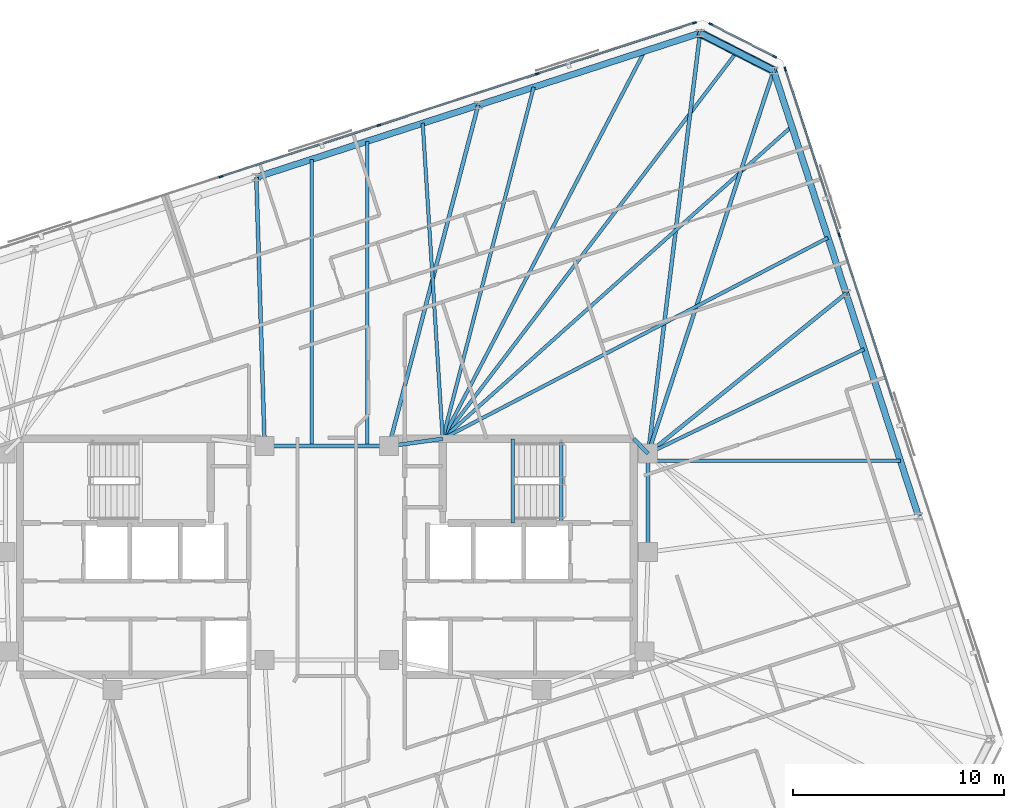
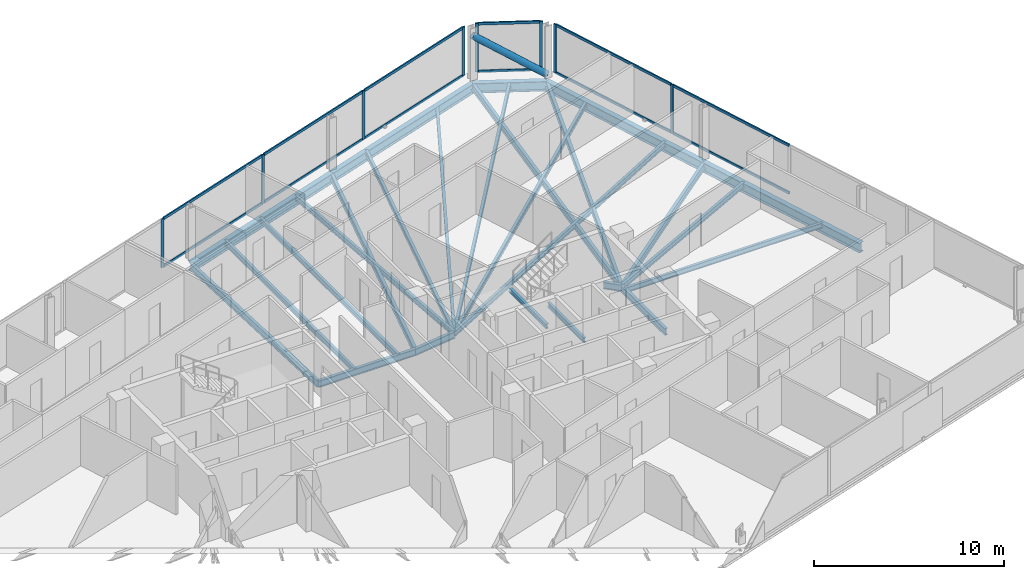
# One storey, part 10 of 20: 26 beams, 21 members, 3 elements without a shape of their own.
"""IFC4 building model written with IfcOpenShell, lengths in metres."""

from ifc_helpers import new_model, si_unit, direction, frame, origin, origin_2d, place, context, subcontext, project, spatial, rectangle, hollow_circle, i_section, extrude, material, material_profile, profile_set, type_object, element, aggregate, save


model = new_model("IFC4")

# Units and contexts
model_context = context("Model", 3, precision=1e-05, world=origin(), true_north=direction((0.0, 1.0)))
body_context = subcontext(model_context, "Body", "Model", "MODEL_VIEW")
ifc_project = project(units=[si_unit("LENGTHUNIT", "METRE"), si_unit("AREAUNIT", "SQUARE_METRE"), si_unit("VOLUMEUNIT", "CUBIC_METRE"), si_unit("PLANEANGLEUNIT", "RADIAN"), si_unit("MASSUNIT", "GRAM", prefix="KILO")], contexts=[model_context])

# Site, building, storey
site_placement = place(None, origin())
site = spatial("IfcSite", under=ifc_project, at=site_placement, CompositionType="ELEMENT")
building_placement = place(site_placement, origin())
building = spatial("IfcBuilding", under=site, at=building_placement, Name="Menara Jurai Vektor", CompositionType="ELEMENT")
storey_placement = place(building_placement, frame((0.0, 0.0, 227.64990234375)))
storey = spatial("IfcBuildingStorey", under=building, at=storey_placement, Name="L60", CompositionType="ELEMENT", Elevation=227.64990234375)

# Curtain wall, members
ifc_material_1 = material(Name="Anodised Pale Aluminium & Low-E Double Glazing", Category="aluminium")
curtain_wall_type = type_object("IfcCurtainWallType", Name="CW-BLK4", PredefinedType="NOTDEFINED", material=ifc_material_1)
curtain_wall_1_placement = place(storey_placement, origin())
curtain_wall_1 = element("IfcCurtainWall", 1, at=curtain_wall_1_placement, inside=storey, type_object=curtain_wall_type, Name="Unitised Curtain Wall L60 F03", PredefinedType="NOTDEFINED")
ifc_material_2 = material(Name="Anodised Pale Aluminium Mullion", Category="aluminium")
ifc_material_profile_1 = material_profile(ifc_material_2, rectangle(XDim=0.080078125, YDim=0.18994140625, at=origin_2d()), Name="ALU MUL 80x190")
ifc_profile_set_1 = profile_set([ifc_material_profile_1], Name="Anodised Pale Aluminium Mullion")
member_type_1 = type_object("IfcMemberType", Name="CW-BLK4-MUL", PredefinedType="MULLION", material=ifc_profile_set_1)
member_1_placement = place(storey_placement, frame((24.31494140625, 15.28271484375, 0.0), z_axis=(0.0, 0.0, 1.0), x_axis=(-0.95105668295, -0.309016481464, 0.0)))
member_1 = element("IfcMember", 2, at=member_1_placement, type_object=member_type_1, Name="CW-04 mullion 4", PredefinedType="MULLION", context=body_context, shape_type="SweptSolid", body=[
    extrude(rectangle(XDim=0.080078125, YDim=0.18994140625, at=origin_2d()), origin(), (0.0, 0.0, 1.0), 3.125),
])
member_2_placement = place(storey_placement, frame((21.75927734375, 23.14794921875, 0.0), z_axis=(0.0, 0.0, 1.0), x_axis=(-0.95105668295, -0.309016481464, 0.0)))
member_2 = element("IfcMember", 3, at=member_2_placement, type_object=member_type_1, Name="CW-04 mullion 5", PredefinedType="MULLION", context=body_context, shape_type="SweptSolid", body=[
    extrude(rectangle(XDim=0.080078125, YDim=0.18994140625, at=origin_2d()), origin(), (0.0, 0.0, 1.0), 3.125),
])

curtain_wall_2_placement = place(storey_placement, origin())
curtain_wall_2 = element("IfcCurtainWall", 4, at=curtain_wall_2_placement, inside=storey, type_object=curtain_wall_type, Name="Unitised Curtain Wall L60 F04", PredefinedType="NOTDEFINED")
member_3_placement = place(storey_placement, frame((21.25537109375, 23.73828125, 0.0), z_axis=(0.0, 0.0, 1.0), x_axis=(-0.453988579828, -0.89100750243, 0.0)))
member_3 = element("IfcMember", 5, at=member_3_placement, type_object=member_type_1, Name="CW-04 mullion 1", PredefinedType="MULLION", context=body_context, shape_type="SweptSolid", body=[
    extrude(rectangle(XDim=0.080078125, YDim=0.18994140625, at=origin_2d()), origin(), (0.0, 0.0, 1.0), 3.125),
])
member_4_placement = place(storey_placement, frame((18.223388671875, 25.282958984375, 0.0), z_axis=(0.0, 0.0, 1.0), x_axis=(-0.453988579828, -0.89100750243, 0.0)))
member_4 = element("IfcMember", 6, at=member_4_placement, type_object=member_type_1, Name="CW-04 mullion 2", PredefinedType="MULLION", context=body_context, shape_type="SweptSolid", body=[
    extrude(rectangle(XDim=0.080078125, YDim=0.18994140625, at=origin_2d()), origin(), (0.0, 0.0, 1.0), 3.125),
])

curtain_wall_3_placement = place(storey_placement, origin())
curtain_wall_3 = element("IfcCurtainWall", 7, at=curtain_wall_3_placement, inside=storey, type_object=curtain_wall_type, Name="Unitised Curtain Wall L60 F05", PredefinedType="NOTDEFINED")
member_5_placement = place(storey_placement, frame((17.44970703125, 25.34375, 0.0), z_axis=(0.0, 0.0, 1.0), x_axis=(0.309017344167, -0.951056402641, 0.0)))
member_5 = element("IfcMember", 8, at=member_5_placement, type_object=member_type_1, Name="CW-04 mullion 1", PredefinedType="MULLION", context=body_context, shape_type="SweptSolid", body=[
    extrude(rectangle(XDim=0.080078125, YDim=0.18994140625, at=origin_2d()), origin(), (0.0, 0.0, 1.0), 3.125),
])
member_6_placement = place(storey_placement, frame((9.982666015625, 22.917724609375, 0.0), z_axis=(0.0, 0.0, 1.0), x_axis=(0.309017344167, -0.951056402641, 0.0)))
member_6 = element("IfcMember", 9, at=member_6_placement, type_object=member_type_1, Name="CW-04 mullion 2", PredefinedType="MULLION", context=body_context, shape_type="SweptSolid", body=[
    extrude(rectangle(XDim=0.080078125, YDim=0.18994140625, at=origin_2d()), origin(), (0.0, 0.0, 1.0), 3.125),
])
member_7_placement = place(storey_placement, frame((2.4775390625, 20.47900390625, 0.0), z_axis=(0.0, 0.0, 1.0), x_axis=(0.309017344167, -0.951056402641, 0.0)))
member_7 = element("IfcMember", 10, at=member_7_placement, type_object=member_type_1, Name="CW-04 mullion 3", PredefinedType="MULLION", context=body_context, shape_type="SweptSolid", body=[
    extrude(rectangle(XDim=0.080078125, YDim=0.18994140625, at=origin_2d()), origin(), (0.0, 0.0, 1.0), 3.125),
])
member_8_placement = place(storey_placement, frame((-5.02783203125, 18.04052734375, 0.0), z_axis=(0.0, 0.0, 1.0), x_axis=(0.309017344167, -0.951056402641, 0.0)))
member_8 = element("IfcMember", 11, at=member_8_placement, type_object=member_type_1, Name="CW-04 mullion 4", PredefinedType="MULLION", context=body_context, shape_type="SweptSolid", body=[
    extrude(rectangle(XDim=0.080078125, YDim=0.18994140625, at=origin_2d()), origin(), (0.0, 0.0, 1.0), 3.125),
])

# Member
ifc_material_3 = material(Name="Anodised Pale Aluminium Transom", Category="aluminium")
ifc_material_profile_2 = material_profile(ifc_material_3, rectangle(XDim=0.080078125, YDim=0.1650390625, at=origin_2d()), Name="ALU TRN 80x165")
ifc_profile_set_2 = profile_set([ifc_material_profile_2], Name="Anodised Pale Aluminium Transom")
member_type_2 = type_object("IfcMemberType", Name="CW-BLK4-TRN", PredefinedType="USERDEFINED", material=ifc_profile_set_2)
member_9_placement = place(storey_placement, frame((26.870361328125, 7.41748046875, 0.0400390625), z_axis=(-0.309010276303, 0.951058699103, 0.0), x_axis=(-0.951058699103, -0.309010276303, 0.0)))
member_9 = element("IfcMember", 12, at=member_9_placement, type_object=member_type_2, Name="CW-04 transom 3.1", ObjectType="TRANSOM", PredefinedType="USERDEFINED", context=body_context, shape_type="SweptSolid", body=[
    extrude(rectangle(XDim=0.080078125, YDim=0.1650390625, at=origin_2d()), origin(), (0.0, 0.0, 1.0), 8.230224609375),
])

member_10_placement = place(storey_placement, frame((26.870361328125, 7.41748046875, 3.085205078125), z_axis=(-0.309010276303, 0.951058699103, 0.0), x_axis=(-0.951058699103, -0.309010276303, 0.0)))
member_10 = element("IfcMember", 13, at=member_10_placement, type_object=member_type_2, Name="CW-04 transom 3.2", ObjectType="TRANSOM", PredefinedType="USERDEFINED", context=body_context, shape_type="SweptSolid", body=[
    extrude(rectangle(XDim=0.080078125, YDim=0.1650390625, at=origin_2d()), origin(), (0.0, 0.0, 1.0), 8.230224609375),
])

member_11_placement = place(storey_placement, frame((24.302490234375, 15.32080078125, 0.0400390625), z_axis=(-0.309001816839, 0.951061447642, 0.0), x_axis=(-0.951061447642, -0.309001816839, 0.0)))
member_11 = element("IfcMember", 14, at=member_11_placement, type_object=member_type_2, Name="CW-04 transom 4.1", ObjectType="TRANSOM", PredefinedType="USERDEFINED", context=body_context, shape_type="SweptSolid", body=[
    extrude(rectangle(XDim=0.080078125, YDim=0.1650390625, at=origin_2d()), origin(), (0.0, 0.0, 1.0), 8.190185546875),
])

member_12_placement = place(storey_placement, frame((24.302490234375, 15.32080078125, 3.085205078125), z_axis=(-0.309001816839, 0.951061447642, 0.0), x_axis=(-0.951061447642, -0.309001816839, 0.0)))
member_12 = element("IfcMember", 15, at=member_12_placement, type_object=member_type_2, Name="CW-04 transom 4.2", ObjectType="TRANSOM", PredefinedType="USERDEFINED", context=body_context, shape_type="SweptSolid", body=[
    extrude(rectangle(XDim=0.080078125, YDim=0.1650390625, at=origin_2d()), origin(), (0.0, 0.0, 1.0), 8.190185546875),
])

aggregate(curtain_wall_1, [member_1, member_2, member_9, member_10, member_11, member_12])

member_13_placement = place(storey_placement, frame((21.2197265625, 23.75634765625, 0.0400390625), z_axis=(-0.89100697374, 0.453989617444, 0.0), x_axis=(-0.453989617444, -0.89100697374, 0.0)))
member_13 = element("IfcMember", 16, at=member_13_placement, type_object=member_type_2, Name="CW-04 transom 1.1", ObjectType="TRANSOM", PredefinedType="USERDEFINED", context=body_context, shape_type="SweptSolid", body=[
    extrude(rectangle(XDim=0.080078125, YDim=0.1650390625, at=origin_2d()), origin(), (0.0, 0.0, 1.0), 3.32275390625),
])

member_14_placement = place(storey_placement, frame((21.2197265625, 23.75634765625, 3.085205078125), z_axis=(-0.89100697374, 0.453989617444, 0.0), x_axis=(-0.453989617444, -0.89100697374, 0.0)))
member_14 = element("IfcMember", 17, at=member_14_placement, type_object=member_type_2, Name="CW-04 transom 1.2", ObjectType="TRANSOM", PredefinedType="USERDEFINED", context=body_context, shape_type="SweptSolid", body=[
    extrude(rectangle(XDim=0.080078125, YDim=0.1650390625, at=origin_2d()), origin(), (0.0, 0.0, 1.0), 3.32275390625),
])

aggregate(curtain_wall_2, [member_3, member_4, member_13, member_14])

member_15_placement = place(storey_placement, frame((17.41162109375, 25.33154296875, 0.0400390625), z_axis=(-0.951049997348, -0.309037056912, 0.0), x_axis=(0.309037056912, -0.951049997348, 0.0)))
member_15 = element("IfcMember", 18, at=member_15_placement, type_object=member_type_2, Name="CW-04 transom 1.1", ObjectType="TRANSOM", PredefinedType="USERDEFINED", context=body_context, shape_type="SweptSolid", body=[
    extrude(rectangle(XDim=0.080078125, YDim=0.1650390625, at=origin_2d()), origin(), (0.0, 0.0, 1.0), 7.771240234375),
])

member_16_placement = place(storey_placement, frame((17.41162109375, 25.33154296875, 3.085205078125), z_axis=(-0.951049997348, -0.309037056912, 0.0), x_axis=(0.309037056912, -0.951049997348, 0.0)))
member_16 = element("IfcMember", 19, at=member_16_placement, type_object=member_type_2, Name="CW-04 transom 1.2", ObjectType="TRANSOM", PredefinedType="USERDEFINED", context=body_context, shape_type="SweptSolid", body=[
    extrude(rectangle(XDim=0.080078125, YDim=0.1650390625, at=origin_2d()), origin(), (0.0, 0.0, 1.0), 7.771240234375),
])

member_17_placement = place(storey_placement, frame((9.944580078125, 22.9052734375, 0.0400390625), z_axis=(-0.951059330237, -0.309008333817, 0.0), x_axis=(0.309008333817, -0.951059330237, 0.0)))
member_17 = element("IfcMember", 20, at=member_17_placement, type_object=member_type_2, Name="CW-04 transom 2.1", ObjectType="TRANSOM", PredefinedType="USERDEFINED", context=body_context, shape_type="SweptSolid", body=[
    extrude(rectangle(XDim=0.080078125, YDim=0.1650390625, at=origin_2d()), origin(), (0.0, 0.0, 1.0), 7.8115234375),
])

member_18_placement = place(storey_placement, frame((9.944580078125, 22.9052734375, 3.085205078125), z_axis=(-0.951059330237, -0.309008333817, 0.0), x_axis=(0.309008333817, -0.951059330237, 0.0)))
member_18 = element("IfcMember", 21, at=member_18_placement, type_object=member_type_2, Name="CW-04 transom 2.2", ObjectType="TRANSOM", PredefinedType="USERDEFINED", context=body_context, shape_type="SweptSolid", body=[
    extrude(rectangle(XDim=0.080078125, YDim=0.1650390625, at=origin_2d()), origin(), (0.0, 0.0, 1.0), 7.8115234375),
])

member_19_placement = place(storey_placement, frame((2.439453125, 20.466552734375, 0.0400390625), z_axis=(-0.951059330237, -0.309008333817, 0.0), x_axis=(0.309008333817, -0.951059330237, 0.0)))
member_19 = element("IfcMember", 22, at=member_19_placement, type_object=member_type_2, Name="CW-04 transom 3.1", ObjectType="TRANSOM", PredefinedType="USERDEFINED", context=body_context, shape_type="SweptSolid", body=[
    extrude(rectangle(XDim=0.080078125, YDim=0.1650390625, at=origin_2d()), origin(), (0.0, 0.0, 1.0), 7.8115234375),
])

member_20_placement = place(storey_placement, frame((2.439453125, 20.466552734375, 3.085205078125), z_axis=(-0.951059330237, -0.309008333817, 0.0), x_axis=(0.309008333817, -0.951059330237, 0.0)))
member_20 = element("IfcMember", 23, at=member_20_placement, type_object=member_type_2, Name="CW-04 transom 3.2", ObjectType="TRANSOM", PredefinedType="USERDEFINED", context=body_context, shape_type="SweptSolid", body=[
    extrude(rectangle(XDim=0.080078125, YDim=0.1650390625, at=origin_2d()), origin(), (0.0, 0.0, 1.0), 7.8115234375),
])

aggregate(curtain_wall_3, [member_5, member_6, member_7, member_8, member_15, member_16, member_17, member_18, member_19, member_20])

# Beams
ifc_material_4 = material(Name="Steel S355", Category="steel")
ifc_material_profile_3 = material_profile(ifc_material_4, i_section(OverallWidth=0.18505859375, OverallDepth=0.429931640625, WebThickness=0.010986328125, FlangeThickness=0.01806640625, at=origin_2d()), Name="PG 430x185x76")
ifc_profile_set_3 = profile_set([ifc_material_profile_3], Name="Steel S355")
beam_type_1 = type_object("IfcBeamType", Name="STR-BM-430", PredefinedType="BEAM", material=ifc_profile_set_3)
beam_1_placement = place(storey_placement, frame((2.949951171875, 5.25, -0.43994140625), z_axis=(0.990706818608, 0.136014703483, 0.0), x_axis=(-0.136014703483, 0.990706818608, 0.0)))
element("IfcBeam", 24, at=beam_1_placement, inside=storey, type_object=beam_type_1, Name="Core Ring Header Girder L60-CHE-N1", PredefinedType="BEAM", context=body_context, shape_type="SweptSolid", body=[
    extrude(i_section(OverallWidth=0.18505859375, OverallDepth=0.429931640625, WebThickness=0.010986328125, FlangeThickness=0.01806640625, at=origin_2d()), origin(), (0.0, 0.0, 1.0), 2.573974609375),
])
beam_2_placement = place(storey_placement, frame((14.56005859375, 5.60009765625, -0.43994140625), z_axis=(0.701871936926, -0.712303154672, 0.0), x_axis=(0.712303154672, 0.701871936926, 0.0)))
element("IfcBeam", 25, at=beam_2_placement, inside=storey, type_object=beam_type_1, Name="Core Ring Header Girder L60-CHE-N2", PredefinedType="BEAM", context=body_context, shape_type="SweptSolid", body=[
    extrude(i_section(OverallWidth=0.18505859375, OverallDepth=0.429931640625, WebThickness=0.010986328125, FlangeThickness=0.01806640625, at=origin_2d()), origin(), (0.0, 0.0, 1.0), 0.98291015625),
])
beam_3_placement = place(storey_placement, frame((15.25, 0.219970703125, -0.43994140625), z_axis=(0.0, 1.0, 0.0), x_axis=(-1.0, 0.0, 0.0)))
element("IfcBeam", 26, at=beam_3_placement, inside=storey, type_object=beam_type_1, Name="Core Ring Header Girder L60-CHE-E1", PredefinedType="BEAM", context=body_context, shape_type="SweptSolid", body=[
    extrude(i_section(OverallWidth=0.18505859375, OverallDepth=0.429931640625, WebThickness=0.010986328125, FlangeThickness=0.01806640625, at=origin_2d()), origin(), (0.0, 0.0, 1.0), 4.679931640625),
])
beam_4_placement = place(storey_placement, frame((-2.949951171875, 5.25, -0.43994140625), z_axis=(1.0, 0.0, 0.0), x_axis=(0.0, 1.0, 0.0)))
element("IfcBeam", 27, at=beam_4_placement, inside=storey, type_object=beam_type_1, Name="Core Ring Header Girder L60-CC-2", PredefinedType="BEAM", context=body_context, shape_type="SweptSolid", body=[
    extrude(i_section(OverallWidth=0.18505859375, OverallDepth=0.429931640625, WebThickness=0.010986328125, FlangeThickness=0.01806640625, at=origin_2d()), origin(), (0.0, 0.0, 1.0), 5.89990234375),
])
beam_5_placement = place(storey_placement, frame((24.641845703125, 12.496826171875, -0.43994140625), z_axis=(-0.777487674144, -0.628898176619, 0.0), x_axis=(0.628898176619, -0.777487674144, 0.0)))
element("IfcBeam", 28, at=beam_5_placement, inside=storey, type_object=beam_type_1, Name="Radial Floor Girder L60-E3", PredefinedType="BEAM", context=body_context, shape_type="SweptSolid", body=[
    extrude(i_section(OverallWidth=0.18505859375, OverallDepth=0.429931640625, WebThickness=0.010986328125, FlangeThickness=0.01806640625, at=origin_2d()), origin(), (0.0, 0.0, 1.0), 12.079833984375),
])
beam_6_placement = place(storey_placement, frame((21.205810546875, 23.071044921875, -0.43994140625), z_axis=(-0.311459010005, -0.950259588263, 0.0), x_axis=(0.950259588263, -0.311459010005, 0.0)))
element("IfcBeam", 29, at=beam_6_placement, inside=storey, type_object=beam_type_1, Name="Radial Floor Girder L60-E4", PredefinedType="BEAM", context=body_context, shape_type="SweptSolid", body=[
    extrude(i_section(OverallWidth=0.18505859375, OverallDepth=0.429931640625, WebThickness=0.010986328125, FlangeThickness=0.01806640625, at=origin_2d()), origin(), (0.0, 0.0, 1.0), 19.122314453125),
])
beam_7_placement = place(storey_placement, frame((17.712890625, 24.85107421875, -0.43994140625), z_axis=(-0.122515938756, -0.99246654591, 0.0), x_axis=(0.99246654591, -0.122515938756, 0.0)))
element("IfcBeam", 30, at=beam_7_placement, inside=storey, type_object=beam_type_1, Name="Radial Floor Girder L60-N1", PredefinedType="BEAM", context=body_context, shape_type="SweptSolid", body=[
    extrude(i_section(OverallWidth=0.18505859375, OverallDepth=0.429931640625, WebThickness=0.010986328125, FlangeThickness=0.01806640625, at=origin_2d()), origin(), (0.0, 0.0, 1.0), 20.1025390625),
])
beam_8_placement = place(storey_placement, frame((7.18359375, 21.4296875, -0.43994140625), z_axis=(-0.253141463003, -0.96742927375, 0.0), x_axis=(0.96742927375, -0.253141463003, 0.0)))
element("IfcBeam", 31, at=beam_8_placement, inside=storey, type_object=beam_type_1, Name="Radial Floor Girder L60-N2", PredefinedType="BEAM", context=body_context, shape_type="SweptSolid", body=[
    extrude(i_section(OverallWidth=0.18505859375, OverallDepth=0.429931640625, WebThickness=0.010986328125, FlangeThickness=0.01806640625, at=origin_2d()), origin(), (0.0, 0.0, 1.0), 16.724365234375),
])
beam_9_placement = place(storey_placement, frame((-3.345703125, 18.008544921875, -0.43994140625), z_axis=(0.031003668991, -0.999519270704, 0.0), x_axis=(0.999519270704, 0.031003668991, 0.0)))
element("IfcBeam", 32, at=beam_9_placement, inside=storey, type_object=beam_type_1, Name="Radial Floor Girder L60-N3", PredefinedType="BEAM", context=body_context, shape_type="SweptSolid", body=[
    extrude(i_section(OverallWidth=0.18505859375, OverallDepth=0.429931640625, WebThickness=0.010986328125, FlangeThickness=0.01806640625, at=origin_2d()), origin(), (0.0, 0.0, 1.0), 12.7646484375),
])

# Member
ifc_material_5 = material(Name="Steel S460", Category="steel")
ifc_material_profile_4 = material_profile(ifc_material_5, hollow_circle(Radius=0.203125, WallThickness=0.01611328125, at=origin_2d()), Name="CHS 406.4x16")
ifc_profile_set_4 = profile_set([ifc_material_profile_4], Name="Steel S460")
member_type_3 = type_object("IfcMemberType", Name="STR-BR-406", PredefinedType="BRACE", material=ifc_profile_set_4)
member_21_placement = place(storey_placement, frame((21.2060546875, 23.071044921875, 0.150146484375), z_axis=(-0.740360915323, 0.377269459996, 0.556357321886), x_axis=(-0.454025593397, -0.890988642206, 0.0)))
element("IfcMember", 33, at=member_21_placement, inside=storey, type_object=member_type_3, Name="Exoskeleton Corner Brace L60-2", PredefinedType="BRACE", context=body_context, shape_type="SweptSolid", body=[
    extrude(hollow_circle(Radius=0.203125, WallThickness=0.01611328125, at=origin_2d()), origin(), (0.0, 0.0, 1.0), 4.71826171875),
])

# Beams
ifc_material_profile_5 = material_profile(ifc_material_4, i_section(OverallWidth=0.1650390625, OverallDepth=0.330078125, WebThickness=0.009033203125, FlangeThickness=0.013916015625, at=origin_2d()), Name="PG 330x165x46")
ifc_profile_set_5 = profile_set([ifc_material_profile_5], Name="Steel S355")
beam_type_2 = type_object("IfcBeamType", Name="STR-JS-330", PredefinedType="JOIST", material=ifc_profile_set_5)
beam_10_placement = place(storey_placement, frame((27.218505859375, 4.56591796875, -0.389892578125), z_axis=(-1.0, 0.0, 0.0), x_axis=(0.0, -1.0, 0.0)))
element("IfcBeam", 34, at=beam_10_placement, inside=storey, type_object=beam_type_2, Name="Radial Secondary Floor Joist L60-JS11", PredefinedType="JOIST", context=body_context, shape_type="SweptSolid", body=[
    extrude(i_section(OverallWidth=0.1650390625, OverallDepth=0.330078125, WebThickness=0.009033203125, FlangeThickness=0.013916015625, at=origin_2d()), origin(), (0.0, 0.0, 1.0), 11.968505859375),
])
beam_11_placement = place(storey_placement, frame((25.500732421875, 9.853271484375, -0.389892578125), z_axis=(-0.900388578627, -0.435086666629, 0.0), x_axis=(0.435086666629, -0.900388578627, 0.0)))
element("IfcBeam", 35, at=beam_11_placement, inside=storey, type_object=beam_type_2, Name="Radial Secondary Floor Joist L60-JS12", PredefinedType="JOIST", context=body_context, shape_type="SweptSolid", body=[
    extrude(i_section(OverallWidth=0.1650390625, OverallDepth=0.330078125, WebThickness=0.009033203125, FlangeThickness=0.013916015625, at=origin_2d()), origin(), (0.0, 0.0, 1.0), 11.384765625),
])
beam_12_placement = place(storey_placement, frame((23.78271484375, 15.140380859375, -0.389892578125), z_axis=(-0.886555502614, -0.462622244153, 0.0), x_axis=(0.462622244153, -0.886555502614, 0.0)))
element("IfcBeam", 36, at=beam_12_placement, inside=storey, type_object=beam_type_2, Name="Radial Secondary Floor Joist L60-JS13", PredefinedType="JOIST", context=body_context, shape_type="SweptSolid", body=[
    extrude(i_section(OverallWidth=0.1650390625, OverallDepth=0.330078125, WebThickness=0.009033203125, FlangeThickness=0.013916015625, at=origin_2d()), origin(), (0.0, 0.0, 1.0), 20.6220703125),
])
beam_13_placement = place(storey_placement, frame((22.06494140625, 20.427490234375, -0.389892578125), z_axis=(-0.745104297608, -0.666947963252, 0.0), x_axis=(0.666947963252, -0.745104297608, 0.0)))
element("IfcBeam", 37, at=beam_13_placement, inside=storey, type_object=beam_type_2, Name="Radial Secondary Floor Joist L60-JS14", PredefinedType="JOIST", context=body_context, shape_type="SweptSolid", body=[
    extrude(i_section(OverallWidth=0.1650390625, OverallDepth=0.330078125, WebThickness=0.009033203125, FlangeThickness=0.013916015625, at=origin_2d()), origin(), (0.0, 0.0, 1.0), 22.231689453125),
])
beam_14_placement = place(storey_placement, frame((19.45947265625, 23.9609375, -0.389892578125), z_axis=(-0.605227110118, -0.796052853257, 0.0), x_axis=(0.796052853257, -0.605227110118, 0.0)))
element("IfcBeam", 38, at=beam_14_placement, inside=storey, type_object=beam_type_2, Name="Radial Secondary Floor Joist L60-JS15", PredefinedType="JOIST", context=body_context, shape_type="SweptSolid", body=[
    extrude(i_section(OverallWidth=0.1650390625, OverallDepth=0.330078125, WebThickness=0.009033203125, FlangeThickness=0.013916015625, at=origin_2d()), origin(), (0.0, 0.0, 1.0), 23.06494140625),
])
beam_15_placement = place(storey_placement, frame((15.08056640625, 23.99560546875, -0.389892578125), z_axis=(-0.461918215026, -0.886922523464, 0.0), x_axis=(0.886922523464, -0.461918215026, 0.0)))
element("IfcBeam", 39, at=beam_15_placement, inside=storey, type_object=beam_type_2, Name="Radial Secondary Floor Joist L60-JS16", PredefinedType="JOIST", context=body_context, shape_type="SweptSolid", body=[
    extrude(i_section(OverallWidth=0.1650390625, OverallDepth=0.330078125, WebThickness=0.009033203125, FlangeThickness=0.013916015625, at=origin_2d()), origin(), (0.0, 0.0, 1.0), 20.74072265625),
])
beam_16_placement = place(storey_placement, frame((9.81591796875, 22.28515625, -0.389892578125), z_axis=(-0.250427234151, -0.968135424616, 0.0), x_axis=(0.968135424616, -0.250427234151, 0.0)))
element("IfcBeam", 40, at=beam_16_placement, inside=storey, type_object=beam_type_2, Name="Radial Secondary Floor Joist L60-JS17", PredefinedType="JOIST", context=body_context, shape_type="SweptSolid", body=[
    extrude(i_section(OverallWidth=0.1650390625, OverallDepth=0.330078125, WebThickness=0.009033203125, FlangeThickness=0.013916015625, at=origin_2d()), origin(), (0.0, 0.0, 1.0), 17.234130859375),
])
beam_17_placement = place(storey_placement, frame((4.55126953125, 20.574462890625, -0.389892578125), z_axis=(0.063230194737, -0.997998969175, 0.0), x_axis=(0.997998969175, 0.063230194737, 0.0)))
element("IfcBeam", 41, at=beam_17_placement, inside=storey, type_object=beam_type_2, Name="Radial Secondary Floor Joist L60-JS18", PredefinedType="JOIST", context=body_context, shape_type="SweptSolid", body=[
    extrude(i_section(OverallWidth=0.1650390625, OverallDepth=0.330078125, WebThickness=0.009033203125, FlangeThickness=0.013916015625, at=origin_2d()), origin(), (0.0, 0.0, 1.0), 15.00439453125),
])
beam_18_placement = place(storey_placement, frame((1.9189453125, 19.71923828125, -0.389892578125), z_axis=(0.0, -1.0, 0.0), x_axis=(1.0, 0.0, 0.0)))
element("IfcBeam", 42, at=beam_18_placement, inside=storey, type_object=beam_type_2, Name="Radial Secondary Floor Joist L60-JS19", PredefinedType="JOIST", context=body_context, shape_type="SweptSolid", body=[
    extrude(i_section(OverallWidth=0.1650390625, OverallDepth=0.330078125, WebThickness=0.009033203125, FlangeThickness=0.013916015625, at=origin_2d()), origin(), (0.0, 0.0, 1.0), 14.46923828125),
])
beam_19_placement = place(storey_placement, frame((-0.71337890625, 18.864013671875, -0.389892578125), z_axis=(0.0, -1.0, 0.0), x_axis=(1.0, 0.0, 0.0)))
element("IfcBeam", 43, at=beam_19_placement, inside=storey, type_object=beam_type_2, Name="Radial Secondary Floor Joist L60-JS20", PredefinedType="JOIST", context=body_context, shape_type="SweptSolid", body=[
    extrude(i_section(OverallWidth=0.1650390625, OverallDepth=0.330078125, WebThickness=0.009033203125, FlangeThickness=0.013916015625, at=origin_2d()), origin(), (0.0, 0.0, 1.0), 13.614013671875),
])
ifc_material_profile_6 = material_profile(ifc_material_4, i_section(OverallWidth=0.1650390625, OverallDepth=0.302978515625, WebThickness=0.006103515625, FlangeThickness=0.010009765625, FilletRadius=0.009033203125, at=origin_2d()), Name="UKB 305x165x40")
ifc_profile_set_6 = profile_set([ifc_material_profile_6], Name="Steel S355")
beam_type_3 = type_object("IfcBeamType", Name="STR-LN-305", PredefinedType="LINTEL", material=ifc_profile_set_6)
beam_20_placement = place(storey_placement, frame((11.1201171875, 1.60009765625, -0.37646484375), z_axis=(0.0, 1.0, 0.0), x_axis=(-1.0, 0.0, 0.0)))
element("IfcBeam", 44, at=beam_20_placement, inside=storey, type_object=beam_type_3, Name="Stair Well Floor Trimmer ST2 L60", PredefinedType="LINTEL", context=body_context, shape_type="SweptSolid", body=[
    extrude(i_section(OverallWidth=0.1650390625, OverallDepth=0.302978515625, WebThickness=0.006103515625, FlangeThickness=0.010009765625, FilletRadius=0.009033203125, at=origin_2d()), origin(), (0.0, 0.0, 1.0), 3.81982421875),
])
beam_21_placement = place(storey_placement, frame((8.830078125, 1.60009765625, 1.323486328125), z_axis=(0.0, 1.0, 0.0), x_axis=(-1.0, 0.0, 0.0)))
element("IfcBeam", 45, at=beam_21_placement, inside=storey, type_object=beam_type_3, Name="Stair Half-Landing Nosing Trimmer ST2-1 L60", PredefinedType="LINTEL", context=body_context, shape_type="SweptSolid", body=[
    extrude(i_section(OverallWidth=0.1650390625, OverallDepth=0.302978515625, WebThickness=0.006103515625, FlangeThickness=0.010009765625, FilletRadius=0.009033203125, at=origin_2d()), origin(), (0.0, 0.0, 1.0), 4.0),
])
ifc_material_profile_7 = material_profile(ifc_material_4, i_section(OverallWidth=0.306884765625, OverallDepth=0.6201171875, WebThickness=0.013916015625, FlangeThickness=0.02392578125, FilletRadius=0.01708984375, at=origin_2d()), Name="UKB 610x305x179")
ifc_profile_set_7 = profile_set([ifc_material_profile_7], Name="Steel S355")
beam_type_4 = type_object("IfcBeamType", Name="STR-SP-610", PredefinedType="SPANDREL", material=ifc_profile_set_7)
beam_22_placement = place(storey_placement, frame((28.07763671875, 1.92236328125, -0.534912109375), z_axis=(-0.309012092614, 0.95105810896, 0.0), x_axis=(-0.95105810896, -0.309012092614, 0.0)))
element("IfcBeam", 46, at=beam_22_placement, inside=storey, type_object=beam_type_4, Name="Exoskeleton Spandrel Beam L60-08", PredefinedType="SPANDREL", context=body_context, shape_type="SweptSolid", body=[
    extrude(i_section(OverallWidth=0.306884765625, OverallDepth=0.6201171875, WebThickness=0.013916015625, FlangeThickness=0.02392578125, FilletRadius=0.01708984375, at=origin_2d()), origin(), (0.0, 0.0, 1.0), 11.11865234375),
])
beam_23_placement = place(storey_placement, frame((24.641845703125, 12.496826171875, -0.534912109375), z_axis=(-0.309038407092, 0.951049558615, 0.0), x_axis=(-0.951049558615, -0.309038407092, 0.0)))
element("IfcBeam", 47, at=beam_23_placement, inside=storey, type_object=beam_type_4, Name="Exoskeleton Spandrel Beam L60-09", PredefinedType="SPANDREL", context=body_context, shape_type="SweptSolid", body=[
    extrude(i_section(OverallWidth=0.306884765625, OverallDepth=0.6201171875, WebThickness=0.013916015625, FlangeThickness=0.02392578125, FilletRadius=0.01708984375, at=origin_2d()), origin(), (0.0, 0.0, 1.0), 11.118408203125),
])
beam_24_placement = place(storey_placement, frame((21.205810546875, 23.071044921875, -0.534912109375), z_axis=(-0.890975804423, 0.454050785633, 0.0), x_axis=(-0.454050785633, -0.890975804423, 0.0)))
element("IfcBeam", 48, at=beam_24_placement, inside=storey, type_object=beam_type_4, Name="Exoskeleton Spandrel Beam L60-10", PredefinedType="SPANDREL", context=body_context, shape_type="SweptSolid", body=[
    extrude(i_section(OverallWidth=0.306884765625, OverallDepth=0.6201171875, WebThickness=0.013916015625, FlangeThickness=0.02392578125, FilletRadius=0.01708984375, at=origin_2d()), origin(), (0.0, 0.0, 1.0), 3.92041015625),
])
beam_25_placement = place(storey_placement, frame((17.712890625, 24.85107421875, -0.534912109375), z_axis=(-0.951050920942, -0.309034214572, 0.0), x_axis=(0.309034214572, -0.951050920942, 0.0)))
element("IfcBeam", 49, at=beam_25_placement, inside=storey, type_object=beam_type_4, Name="Exoskeleton Spandrel Beam L60-11", PredefinedType="SPANDREL", context=body_context, shape_type="SweptSolid", body=[
    extrude(i_section(OverallWidth=0.306884765625, OverallDepth=0.6201171875, WebThickness=0.013916015625, FlangeThickness=0.02392578125, FilletRadius=0.01708984375, at=origin_2d()), origin(), (0.0, 0.0, 1.0), 11.0712890625),
])
beam_26_placement = place(storey_placement, frame((7.18359375, 21.4296875, -0.534912109375), z_axis=(-0.951057401967, -0.309014268544, 0.0), x_axis=(0.309014268544, -0.951057401967, 0.0)))
element("IfcBeam", 50, at=beam_26_placement, inside=storey, type_object=beam_type_4, Name="Exoskeleton Spandrel Beam L60-12", PredefinedType="SPANDREL", context=body_context, shape_type="SweptSolid", body=[
    extrude(i_section(OverallWidth=0.306884765625, OverallDepth=0.6201171875, WebThickness=0.013916015625, FlangeThickness=0.02392578125, FilletRadius=0.01708984375, at=origin_2d()), origin(), (0.0, 0.0, 1.0), 11.071044921875),
])

save(model, "model.ifc")
